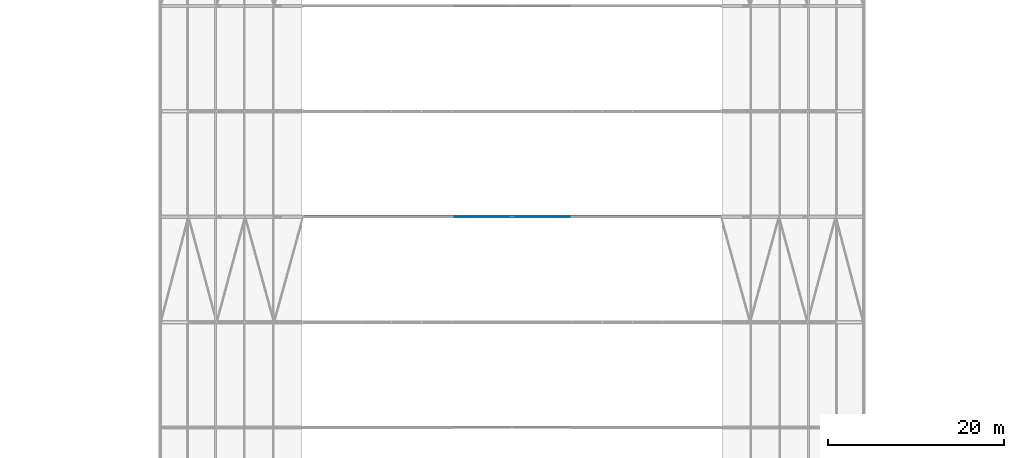
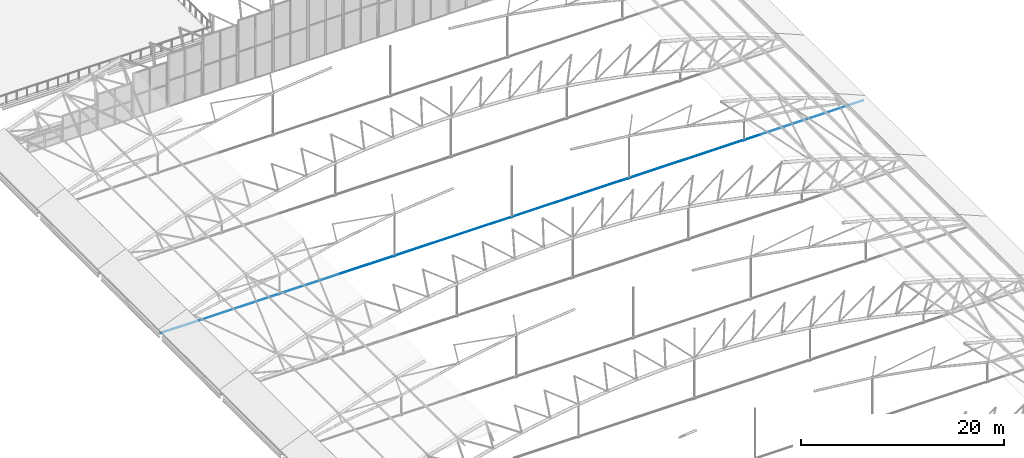
# One storey, part 159 of 321: 1 member.
"""IFC4 building model written with IfcOpenShell, lengths in metres."""

from ifc_helpers import new_model, si_unit, direction, frame, origin, origin_2d, place, context, subcontext, project, spatial, circle, extrude, material, material_profile, profile_set, type_object, element, save


model = new_model("IFC4")

# Units and contexts
model_context = context("Model", 3, precision=1e-05, world=origin(), true_north=direction((0.0, 1.0)))
body_context = subcontext(model_context, "Body", "Model", "MODEL_VIEW")
ifc_project = project(units=[si_unit("LENGTHUNIT", "METRE"), si_unit("AREAUNIT", "SQUARE_METRE"), si_unit("VOLUMEUNIT", "CUBIC_METRE"), si_unit("PLANEANGLEUNIT", "RADIAN"), si_unit("MASSUNIT", "GRAM", prefix="KILO")], contexts=[model_context])

# Site, building, storey
site_placement = place(None, origin())
site = spatial("IfcSite", under=ifc_project, at=site_placement, CompositionType="ELEMENT")
building_placement = place(site_placement, origin())
building = spatial("IfcBuilding", under=site, at=building_placement, Name="Ravi Spectrum Wholesale Market", CompositionType="ELEMENT")
storey_placement = place(building_placement, frame((0.0, 0.0, 10.800048828125)))
storey = spatial("IfcBuildingStorey", under=building, at=storey_placement, Name="L02", CompositionType="ELEMENT", Elevation=10.800048828125)

# Member
ifc_material = material(Name="Steel S460", Category="steel")
ifc_material_profile = material_profile(ifc_material, circle(Radius=0.034912109375, at=origin_2d()))
ifc_profile_set = profile_set([ifc_material_profile], Name="Steel S460")
member_type = type_object("IfcMemberType", Name="ROD 70 tie", PredefinedType="BRACE", material=ifc_profile_set)
member_placement = place(storey_placement, frame((29.98974609375, 162.0, 0.023193359375), z_axis=(1.0, 0.0, 0.0), x_axis=(0.0, 1.0, 0.0)))
element("IfcMember", 1, at=member_placement, inside=storey, type_object=member_type, Name="H1-MB-L02-967", PredefinedType="BRACE", context=body_context, shape_type="SweptSolid", body=[
    extrude(circle(Radius=0.034912109375, at=origin_2d()), origin(), (0.0, 0.0, 1.0), 80.0205078125),
])

save(model, "model.ifc")
